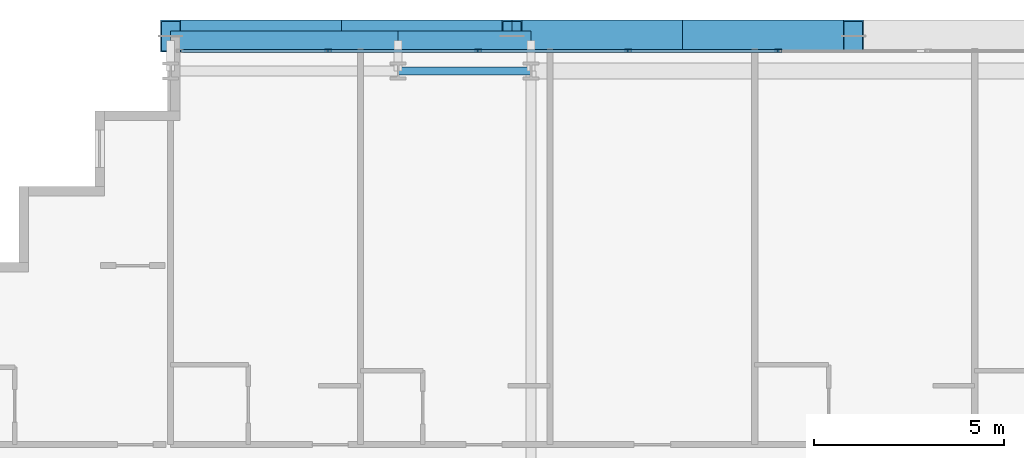
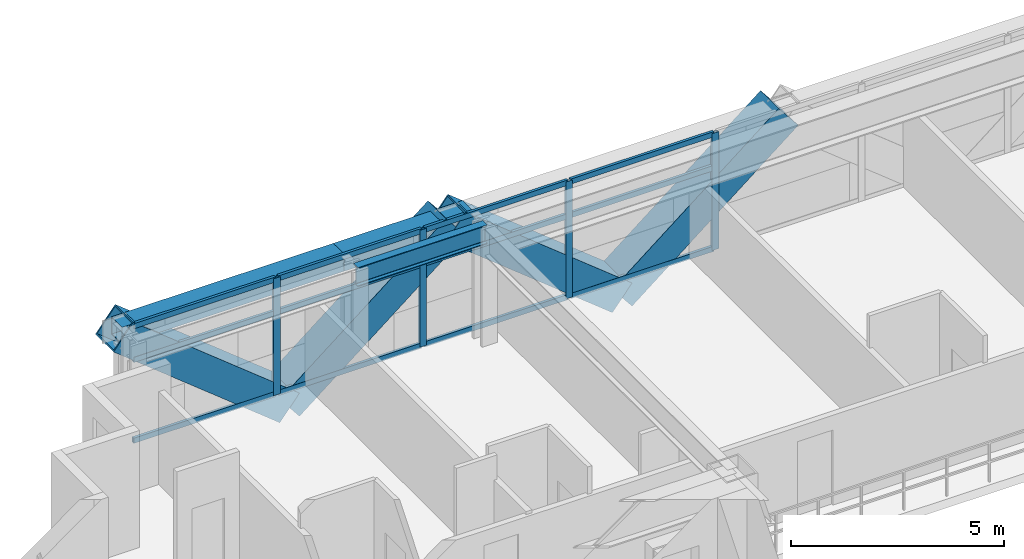
# One storey, part 18 of 38: 20 members, 3 beams, 1 element without a shape of its own.
"""IFC4 building model written with IfcOpenShell, lengths in metres."""

import ifcopenshell
import ifcopenshell.guid

model = None  # the IFC model being written
_history = None  # IfcOwnerHistory: only IFC2X3 demands one
_inside = {}  # id of a spatial element -> (the spatial element, [elements in it])
_under = {}  # id of a project, library or spatial element -> (it, [spatial elements below it])
_declared = {}  # id of a project -> (the project, [libraries it declares])
_typed = {}  # id of a type object -> (the type object, [elements of that type])
_made_of = {}  # id of a material, layer set ... -> (it, [elements and type objects made of it])


def new_model(schema):
    """Start an empty IFC model of exactly this schema.

    Asked for "IFC4X3", IfcOpenShell would pick the latest addendum, in which some entities
    have other attributes; the version numbers below select the first issue.
    IFC2X3 requires an IfcOwnerHistory on every rooted entity: one is made here for all.
    """
    global model, _history
    if schema == "IFC4X3":
        model = ifcopenshell.file(schema_version=(4, 3, 0, 0))
    else:
        model = ifcopenshell.file(schema=schema)
    _inside.clear()
    _under.clear()
    _declared.clear()
    _typed.clear()
    _made_of.clear()
    _history = None
    if model.schema == "IFC2X3":
        org = make("IfcOrganization", Name="unknown")
        user = make(
            "IfcPersonAndOrganization",
            ThePerson=make("IfcPerson", FamilyName="unknown"),
            TheOrganization=org,
        )
        app = make(
            "IfcApplication",
            ApplicationDeveloper=org,
            Version="unknown",
            ApplicationFullName="unknown",
            ApplicationIdentifier="unknown",
        )
        _history = make(
            "IfcOwnerHistory",
            OwningUser=user,
            OwningApplication=app,
            ChangeAction="ADDED",
            CreationDate=0,
        )
    return model


def make(cls, **values):
    """One entity of the class cls with the attributes given. An attribute that is None is left unset."""
    return model.create_entity(
        cls, **{name: value for name, value in values.items() if value is not None}
    )


def rooted(cls, **values):
    """An entity with a GlobalId (a new one), such as an element, a storey or a relation."""
    return make(cls, GlobalId=ifcopenshell.guid.new(), OwnerHistory=_history, **values)


def si_unit(unit_type, name, prefix=None):
    """IfcSIUnit, for example si_unit("LENGTHUNIT", "METRE", prefix="MILLI")."""
    return make("IfcSIUnit", UnitType=unit_type, Prefix=prefix, Name=name)


def assignment(units):
    """IfcUnitAssignment: the units of a project."""
    return None if units is None else make("IfcUnitAssignment", Units=units)


def point(xyz):
    """IfcCartesianPoint."""
    return None if xyz is None else make("IfcCartesianPoint", Coordinates=xyz)


def direction(xyz):
    """IfcDirection."""
    return None if xyz is None else make("IfcDirection", DirectionRatios=xyz)


def frame(location, z_axis=None, x_axis=None):
    """IfcAxis2Placement3D, a coordinate frame: its origin and axes. An axis left out is left unset."""
    return make(
        "IfcAxis2Placement3D",
        Location=point(location),
        Axis=direction(z_axis),
        RefDirection=direction(x_axis),
    )


def frame_2d(location, x_axis=None):
    """IfcAxis2Placement2D, a coordinate frame in the plane: its origin and x axis."""
    return make(
        "IfcAxis2Placement2D", Location=point(location), RefDirection=direction(x_axis)
    )


def origin():
    """The frame at (0, 0, 0) with its axes left unset."""
    return frame((0.0, 0.0, 0.0))


def origin_2d():
    """The frame at (0, 0) in the plane with its x axis left unset."""
    return frame_2d((0.0, 0.0))


def place(relative_to, where):
    """IfcLocalPlacement: puts the frame where relative to a parent placement (None: the world)."""
    return make(
        "IfcLocalPlacement", PlacementRelTo=relative_to, RelativePlacement=where
    )


def context(
    kind, dimensions, precision=None, world=None, true_north=None, identifier=None
):
    """IfcGeometricRepresentationContext, for example the 3D "Model" context."""
    return make(
        "IfcGeometricRepresentationContext",
        ContextIdentifier=identifier,
        ContextType=kind,
        CoordinateSpaceDimension=dimensions,
        Precision=precision,
        WorldCoordinateSystem=world,
        TrueNorth=true_north,
    )


def subcontext(parent, identifier, kind, view, scale=None):
    """IfcGeometricRepresentationSubContext, for example "Body" below "Model"."""
    return make(
        "IfcGeometricRepresentationSubContext",
        ContextIdentifier=identifier,
        ContextType=kind,
        ParentContext=parent,
        TargetScale=scale,
        TargetView=view,
    )


def project(units=None, contexts=None):
    """IfcProject with its units and contexts."""
    return rooted(
        "IfcProject",
        Name="project",
        RepresentationContexts=contexts,
        UnitsInContext=assignment(units),
    )


def spatial(cls, under=None, at=None, **own):
    """A site, building, storey or space (cls), placed at a placement, below another one or the project."""
    s = rooted(cls, ObjectPlacement=at, **own)
    if under is not None:
        _under.setdefault(under.id(), (under, []))[1].append(s)
    return s


def profile(cls, at=None, kind="AREA", **sizes):
    """A parametric profile (cls). Its sizes go by their IFC names, for example OverallWidth=200.0."""
    return make(cls, ProfileType=kind, Position=at, **sizes)


def hollow_rectangle(**sizes):
    """IfcRectangleHollowProfileDef."""
    return profile("IfcRectangleHollowProfileDef", **sizes)


def i_section(**sizes):
    """IfcIShapeProfileDef."""
    return profile("IfcIShapeProfileDef", **sizes)


def extrude(swept, where, along, depth):
    """IfcExtrudedAreaSolid: the profile swept, set in the frame where, extruded along a direction by depth."""
    return make(
        "IfcExtrudedAreaSolid",
        SweptArea=swept,
        Position=where,
        ExtrudedDirection=direction(along),
        Depth=depth,
    )


def shape(context_of_items, identifier, shape_type, items):
    """IfcShapeRepresentation: the items that make up one representation, for example the "Body"."""
    return make(
        "IfcShapeRepresentation",
        ContextOfItems=context_of_items,
        RepresentationIdentifier=identifier,
        RepresentationType=shape_type,
        Items=items,
    )


def source(mapping_origin, context_of_items, identifier, shape_type, items):
    """IfcRepresentationMap: a shape defined once, which mapped items show again and again."""
    return make(
        "IfcRepresentationMap",
        MappingOrigin=mapping_origin,
        MappedRepresentation=shape(context_of_items, identifier, shape_type, items),
    )


def transform(
    local_origin,
    x_axis=None,
    y_axis=None,
    z_axis=None,
    scale=None,
    scale2=None,
    scale3=None,
    uniform=True,
):
    """IfcCartesianTransformationOperator3D, or its non-uniform kind. x_axis, y_axis, z_axis: its Axis1, 2, 3."""
    if uniform:
        return make(
            "IfcCartesianTransformationOperator3D",
            Axis1=direction(x_axis),
            Axis2=direction(y_axis),
            LocalOrigin=point(local_origin),
            Scale=scale,
            Axis3=direction(z_axis),
        )
    return make(
        "IfcCartesianTransformationOperator3DnonUniform",
        Axis1=direction(x_axis),
        Axis2=direction(y_axis),
        LocalOrigin=point(local_origin),
        Scale=scale,
        Axis3=direction(z_axis),
        Scale2=scale2,
        Scale3=scale3,
    )


def mapped(mapping_source, mapping_target):
    """IfcMappedItem: shows the shape of a source again, moved by a transform."""
    return make(
        "IfcMappedItem", MappingSource=mapping_source, MappingTarget=mapping_target
    )


def material(Name=None, Category=None):
    """IfcMaterial."""
    return make("IfcMaterial", Name=Name, Category=Category)


def layer(
    of_material, thickness, ventilated=None, Name=None, Category=None, Priority=None
):
    """IfcMaterialLayer: one layer of a wall or slab, of a material (None: an air gap)."""
    return make(
        "IfcMaterialLayer",
        Material=of_material,
        LayerThickness=thickness,
        IsVentilated=ventilated,
        Name=Name,
        Category=Category,
        Priority=Priority,
    )


def layer_set(layers, Name=None):
    """IfcMaterialLayerSet."""
    return make("IfcMaterialLayerSet", MaterialLayers=layers, LayerSetName=Name)


def material_profile(
    of_material, cross_section, Name=None, Category=None, Priority=None
):
    """IfcMaterialProfile: a cross section and its material."""
    return make(
        "IfcMaterialProfile",
        Name=Name,
        Material=of_material,
        Profile=cross_section,
        Priority=Priority,
        Category=Category,
    )


def profile_set(profiles, Name=None, composite=None):
    """IfcMaterialProfileSet."""
    return make(
        "IfcMaterialProfileSet",
        Name=Name,
        MaterialProfiles=profiles,
        CompositeProfile=composite,
    )


def made_of(thing, what):
    """Note that an element or type object is made of a material, layer set ...; save() writes the relation."""
    if what is not None:
        _made_of.setdefault(what.id(), (what, []))[1].append(thing)
    return thing


def type_object(cls, material=None, **own):
    """A type object (cls), such as IfcWallType, which elements share."""
    return made_of(rooted(cls, **own), material)


def element(
    cls,
    number,
    at=None,
    inside=None,
    cuts=None,
    type_object=None,
    material=None,
    context=None,
    identifier="Body",
    shape_type=None,
    held_by="IfcProductDefinitionShape",
    body=None,
    shapes=None,
    **own,
):
    """One element of the class cls, such as IfcWall. Its Tag is "e" and its number.

    at: its placement. inside: the storey or other place that contains it. cuts: it is an
    opening in that element (IfcRelVoidsElement). A single representation is given by context,
    identifier, shape_type and body (its items); several are given by shapes. held_by: the class
    of the entity that holds the representations. save() writes the other relations.
    """
    e = rooted(cls, Tag="e%d" % number, ObjectPlacement=at, **own)
    if body is not None:
        shapes = [shape(context, identifier, shape_type, body)]
    if shapes is not None:
        e.Representation = make(held_by, Representations=shapes)
    if inside is not None:
        _inside.setdefault(inside.id(), (inside, []))[1].append(e)
    if cuts is not None:
        rooted(
            "IfcRelVoidsElement", RelatingBuildingElement=cuts, RelatedOpeningElement=e
        )
    if type_object is not None:
        _typed.setdefault(type_object.id(), (type_object, []))[1].append(e)
    return made_of(e, material)


def aggregate(whole, parts):
    """IfcRelAggregates: a whole, such as a stair, and the parts it consists of."""
    return rooted("IfcRelAggregates", RelatingObject=whole, RelatedObjects=parts)


def save(model, path):
    """Write the relations noted so far, then the file.

    IfcRelAggregates (storeys below a building ...), IfcRelContainedInSpatialStructure (elements
    in a storey), IfcRelDefinesByType, IfcRelAssociatesMaterial and IfcRelDeclares: one each for
    every whole, place, type object, material and project.
    """
    for whole, parts in _under.values():
        aggregate(whole, parts)
    for where, things in _inside.values():
        rooted(
            "IfcRelContainedInSpatialStructure",
            RelatedElements=things,
            RelatingStructure=where,
        )
    for kind, things in _typed.values():
        rooted("IfcRelDefinesByType", RelatedObjects=things, RelatingType=kind)
    for what, things in _made_of.values():
        rooted("IfcRelAssociatesMaterial", RelatedObjects=things, RelatingMaterial=what)
    for by, libraries in _declared.values():
        rooted("IfcRelDeclares", RelatingContext=by, RelatedDefinitions=libraries)
    model.write(path)


model = new_model("IFC4")

# Units and contexts
model_context = context("Model", 3, precision=1e-05, world=origin(), true_north=direction((0.0, 1.0)))
body_context = subcontext(model_context, "Body", "Model", "MODEL_VIEW")
ifc_project = project(units=[si_unit("LENGTHUNIT", "METRE"), si_unit("AREAUNIT", "SQUARE_METRE"), si_unit("VOLUMEUNIT", "CUBIC_METRE"), si_unit("PLANEANGLEUNIT", "RADIAN"), si_unit("MASSUNIT", "GRAM", prefix="KILO")], contexts=[model_context])

# Site, building, storey
site_placement = place(None, origin())
site = spatial("IfcSite", under=ifc_project, at=site_placement, CompositionType="ELEMENT")
building_placement = place(site_placement, origin())
building = spatial("IfcBuilding", under=site, at=building_placement, Name="Ocotamira Hotel", CompositionType="ELEMENT")
storey_placement = place(building_placement, frame((0.0, 0.0, 74.39990234375)))
storey = spatial("IfcBuildingStorey", under=building, at=storey_placement, Name="L18", CompositionType="ELEMENT", Elevation=74.39990234375)

# Beams
ifc_material_1 = material(Name="Steel ASTM A992 Grade 50", Category="steel")
ifc_material_profile_1 = material_profile(ifc_material_1, i_section(OverallWidth=0.2099609375, OverallDepth=0.537109375, WebThickness=0.010986328125, FlangeThickness=0.017333984375, FilletRadius=0.012939453125, at=origin_2d()), Name="W21X68")
ifc_profile_set_1 = profile_set([ifc_material_profile_1], Name="Steel ASTM A992 Grade 50")
beam_type_1 = type_object("IfcBeamType", Name="BM-SEC-W21X68", PredefinedType="JOIST", material=ifc_profile_set_1)
shared_shape_1 = source(origin(), body_context, "Body", "SweptSolid", [
    extrude(i_section(OverallWidth=0.2099609375, OverallDepth=0.537109375, WebThickness=0.010986328125, FlangeThickness=0.017333984375, FilletRadius=0.012939453125, at=origin_2d()), origin(), (0.0, 0.0, 1.0), 3.5),
])
beam_1_placement = place(storey_placement, frame((20.0, 49.050048828125, 3.08154296875), z_axis=(1.0, 0.0, 0.0), x_axis=(0.0, 1.0, 0.0)))
element("IfcBeam", 1, at=beam_1_placement, inside=storey, type_object=beam_type_1, Name="L18 Girder Y49.05 X20-23.5", PredefinedType="JOIST", context=body_context, shape_type="MappedRepresentation", body=[
    mapped(shared_shape_1, transform((0.0, 0.0, 0.0), scale=1.0)),
])
ifc_material_2 = material(Name="Steel ASTM A500 Grade C", Category="steel")
ifc_material_profile_2 = material_profile(ifc_material_2, hollow_rectangle(XDim=0.5, YDim=0.5, WallThickness=0.02001953125, at=origin_2d()), Name="HSS500X500X20")
ifc_profile_set_2 = profile_set([ifc_material_profile_2], Name="Steel ASTM A500 Grade C")
beam_type_2 = type_object("IfcBeamType", Name="BM-SPAN-HSS500", PredefinedType="USERDEFINED", material=ifc_profile_set_2)
shared_shape_2 = source(origin(), body_context, "Body", "SweptSolid", [
    extrude(hollow_rectangle(XDim=0.5, YDim=0.5, WallThickness=0.02001953125, at=origin_2d()), origin(), (0.0, 0.0, 1.0), 6.0),
])
beam_2_placement = place(storey_placement, frame((14.0, 49.85009765625, 3.10009765625), z_axis=(1.0, 0.0, 0.0), x_axis=(0.0, 1.0, 0.0)))
element("IfcBeam", 2, at=beam_2_placement, inside=storey, type_object=beam_type_2, Name="L18 Edge Spandrel N X14-20", ObjectType="SPANDREL", PredefinedType="USERDEFINED", context=body_context, shape_type="MappedRepresentation", body=[
    mapped(shared_shape_2, transform((0.0, 0.0, 0.0), scale=1.0)),
])
shared_shape_3 = source(origin(), body_context, "Body", "SweptSolid", [
    extrude(hollow_rectangle(XDim=0.5, YDim=0.5, WallThickness=0.02001953125, at=origin_2d()), origin(), (0.0, 0.0, 1.0), 3.5),
])
beam_3_placement = place(storey_placement, frame((20.0, 49.85009765625, 3.10009765625), z_axis=(1.0, 0.0, 0.0), x_axis=(0.0, 1.0, 0.0)))
element("IfcBeam", 3, at=beam_3_placement, inside=storey, type_object=beam_type_2, Name="L18 Edge Spandrel N X20-23.5", ObjectType="SPANDREL", PredefinedType="USERDEFINED", context=body_context, shape_type="MappedRepresentation", body=[
    mapped(shared_shape_3, transform((0.0, 0.0, 0.0), scale=1.0)),
])

# Members
ifc_material_3 = material(Name="Pale-metal coated steel ASTM A913 Grade 65", Category="steel")
ifc_material_profile_3 = material_profile(ifc_material_3, hollow_rectangle(XDim=0.85009765625, YDim=0.85009765625, WallThickness=0.035888671875, at=origin_2d()), Name="BOX850X850X36")
ifc_profile_set_3 = profile_set([ifc_material_profile_3], Name="Pale-metal coated steel ASTM A913 Grade 65")
member_type_1 = type_object("IfcMemberType", Name="MEM-EXO-BOX850", PredefinedType="BRACE", material=ifc_profile_set_3)
shared_shape_4 = source(origin(), body_context, "Body", "SweptSolid", [
    extrude(hollow_rectangle(XDim=0.85009765625, YDim=0.85009765625, WallThickness=0.035888671875, at=origin_2d()), origin(), (0.0, 0.0, 1.0), 5.762939453125),
])
for number, where, z_axis, x_axis, name in (
    (4, (18.5, 49.969970703125, -0.5), (-0.780860543151, 0.0, 0.624705380279), (0.0, -1.0, 0.0), "L18 Exoskeleton Diagrid N0.1"),
    (5, (18.5, 49.969970703125, -0.5), (0.780860543151, 0.0, 0.624705380279), (0.0, 1.0, 0.0), "L18 Exoskeleton Diagrid N0.2"),
    (6, (27.5, 49.969970703125, -0.5), (-0.780860543151, 0.0, 0.624705380279), (0.0, -1.0, 0.0), "L18 Exoskeleton Diagrid N1.1"),
    (7, (27.5, 49.969970703125, -0.5), (0.780860543151, 0.0, 0.624705380279), (0.0, 1.0, 0.0), "L18 Exoskeleton Diagrid N1.2"),
):
    element("IfcMember", number, at=place(storey_placement, frame(where, z_axis=z_axis, x_axis=x_axis)), inside=storey, type_object=member_type_1, Name=name, PredefinedType="BRACE", context=body_context, shape_type="MappedRepresentation", body=[
        mapped(shared_shape_4, transform((0.0, 0.0, 0.0), scale=1.0)),
    ])

# Curtain wall, members
ifc_material_4 = material(Name="Anodised pale-metal aluminium and solar glass", Category="aluminium")
ifc_layer = layer(ifc_material_4, 0.179931640625)
ifc_layer_set = layer_set([ifc_layer], Name="Anodised pale-metal aluminium and solar glass")
curtain_wall_type = type_object("IfcCurtainWallType", Name="CW-SYS2-Z1", PredefinedType="NOTDEFINED", material=ifc_layer_set)
curtain_wall_placement = place(storey_placement, origin())
curtain_wall = element("IfcCurtainWall", 8, at=curtain_wall_placement, inside=storey, type_object=curtain_wall_type, Name="L18 Curtain Wall CW-2 CW-L18-N", PredefinedType="NOTDEFINED")
ifc_material_5 = material(Name="Anodised pale-metal aluminium 6063-T6", Category="aluminium")
ifc_material_profile_4 = material_profile(ifc_material_5, hollow_rectangle(XDim=0.074951171875, YDim=0.14990234375, WallThickness=0.006103515625, at=origin_2d()), Name="HSS150X75X6")
ifc_profile_set_4 = profile_set([ifc_material_profile_4], Name="Anodised pale-metal aluminium 6063-T6")
member_type_2 = type_object("IfcMemberType", Name="CWT-150X75", PredefinedType="USERDEFINED", material=ifc_profile_set_4)
shared_shape_5 = source(origin(), body_context, "Body", "SweptSolid", [
    extrude(hollow_rectangle(XDim=0.074951171875, YDim=0.14990234375, WallThickness=0.006103515625, at=origin_2d()), origin(), (0.0, 0.0, 1.0), 3.83544921875),
])
member_1_placement = place(storey_placement, frame((14.280029296875, 49.580078125, 0.03759765625), z_axis=(1.0, 0.0, 0.0), x_axis=(0.0, 1.0, 0.0)))
member_1 = element("IfcMember", 9, at=member_1_placement, type_object=member_type_2, Name="CW-2 transom 1.1", ObjectType="TRANSOM", PredefinedType="USERDEFINED", context=body_context, shape_type="MappedRepresentation", body=[
    mapped(shared_shape_5, transform((0.0, 0.0, 0.0), scale=1.0)),
])
member_2_placement = place(storey_placement, frame((14.280029296875, 49.580078125, 2.35009765625), z_axis=(1.0, 0.0, 0.0), x_axis=(0.0, 1.0, 0.0)))
member_2 = element("IfcMember", 10, at=member_2_placement, type_object=member_type_2, Name="CW-2 transom 1.2", ObjectType="TRANSOM", PredefinedType="USERDEFINED", context=body_context, shape_type="MappedRepresentation", body=[
    mapped(shared_shape_5, transform((0.0, 0.0, 0.0), scale=1.0)),
])
member_3_placement = place(storey_placement, frame((14.280029296875, 49.580078125, 3.3125), z_axis=(1.0, 0.0, 0.0), x_axis=(0.0, 1.0, 0.0)))
member_3 = element("IfcMember", 11, at=member_3_placement, type_object=member_type_2, Name="CW-2 transom 1.3", ObjectType="TRANSOM", PredefinedType="USERDEFINED", context=body_context, shape_type="MappedRepresentation", body=[
    mapped(shared_shape_5, transform((0.0, 0.0, 0.0), scale=1.0)),
])
shared_shape_6 = source(origin(), body_context, "Body", "SweptSolid", [
    extrude(hollow_rectangle(XDim=0.074951171875, YDim=0.14990234375, WallThickness=0.006103515625, at=origin_2d()), origin(), (0.0, 0.0, 1.0), 3.87548828125),
])
member_4_placement = place(storey_placement, frame((18.195556640625, 49.580078125, 0.03759765625), z_axis=(1.0, 0.0, 0.0), x_axis=(0.0, 1.0, 0.0)))
member_4 = element("IfcMember", 12, at=member_4_placement, type_object=member_type_2, Name="CW-2 transom 2.1", ObjectType="TRANSOM", PredefinedType="USERDEFINED", context=body_context, shape_type="MappedRepresentation", body=[
    mapped(shared_shape_6, transform((0.0, 0.0, 0.0), scale=1.0)),
])
member_5_placement = place(storey_placement, frame((18.195556640625, 49.580078125, 2.35009765625), z_axis=(1.0, 0.0, 0.0), x_axis=(0.0, 1.0, 0.0)))
member_5 = element("IfcMember", 13, at=member_5_placement, type_object=member_type_2, Name="CW-2 transom 2.2", ObjectType="TRANSOM", PredefinedType="USERDEFINED", context=body_context, shape_type="MappedRepresentation", body=[
    mapped(shared_shape_6, transform((0.0, 0.0, 0.0), scale=1.0)),
])
member_6_placement = place(storey_placement, frame((18.195556640625, 49.580078125, 3.3125), z_axis=(1.0, 0.0, 0.0), x_axis=(0.0, 1.0, 0.0)))
member_6 = element("IfcMember", 14, at=member_6_placement, type_object=member_type_2, Name="CW-2 transom 2.3", ObjectType="TRANSOM", PredefinedType="USERDEFINED", context=body_context, shape_type="MappedRepresentation", body=[
    mapped(shared_shape_6, transform((0.0, 0.0, 0.0), scale=1.0)),
])
member_7_placement = place(storey_placement, frame((22.151123046875, 49.580078125, 0.03759765625), z_axis=(1.0, 0.0, 0.0), x_axis=(0.0, 1.0, 0.0)))
member_7 = element("IfcMember", 15, at=member_7_placement, type_object=member_type_2, Name="CW-2 transom 3.1", ObjectType="TRANSOM", PredefinedType="USERDEFINED", context=body_context, shape_type="MappedRepresentation", body=[
    mapped(shared_shape_6, transform((0.0, 0.0, 0.0), scale=1.0)),
])
member_8_placement = place(storey_placement, frame((22.151123046875, 49.580078125, 2.35009765625), z_axis=(1.0, 0.0, 0.0), x_axis=(0.0, 1.0, 0.0)))
member_8 = element("IfcMember", 16, at=member_8_placement, type_object=member_type_2, Name="CW-2 transom 3.2", ObjectType="TRANSOM", PredefinedType="USERDEFINED", context=body_context, shape_type="MappedRepresentation", body=[
    mapped(shared_shape_6, transform((0.0, 0.0, 0.0), scale=1.0)),
])
member_9_placement = place(storey_placement, frame((22.151123046875, 49.580078125, 3.3125), z_axis=(1.0, 0.0, 0.0), x_axis=(0.0, 1.0, 0.0)))
member_9 = element("IfcMember", 17, at=member_9_placement, type_object=member_type_2, Name="CW-2 transom 3.3", ObjectType="TRANSOM", PredefinedType="USERDEFINED", context=body_context, shape_type="MappedRepresentation", body=[
    mapped(shared_shape_6, transform((0.0, 0.0, 0.0), scale=1.0)),
])
member_10_placement = place(storey_placement, frame((26.106689453125, 49.580078125, 0.03759765625), z_axis=(1.0, 0.0, 0.0), x_axis=(0.0, 1.0, 0.0)))
member_10 = element("IfcMember", 18, at=member_10_placement, type_object=member_type_2, Name="CW-2 transom 4.1", ObjectType="TRANSOM", PredefinedType="USERDEFINED", context=body_context, shape_type="MappedRepresentation", body=[
    mapped(shared_shape_6, transform((0.0, 0.0, 0.0), scale=1.0)),
])
member_11_placement = place(storey_placement, frame((26.106689453125, 49.580078125, 2.35009765625), z_axis=(1.0, 0.0, 0.0), x_axis=(0.0, 1.0, 0.0)))
member_11 = element("IfcMember", 19, at=member_11_placement, type_object=member_type_2, Name="CW-2 transom 4.2", ObjectType="TRANSOM", PredefinedType="USERDEFINED", context=body_context, shape_type="MappedRepresentation", body=[
    mapped(shared_shape_6, transform((0.0, 0.0, 0.0), scale=1.0)),
])
member_12_placement = place(storey_placement, frame((26.106689453125, 49.580078125, 3.3125), z_axis=(1.0, 0.0, 0.0), x_axis=(0.0, 1.0, 0.0)))
member_12 = element("IfcMember", 20, at=member_12_placement, type_object=member_type_2, Name="CW-2 transom 4.3", ObjectType="TRANSOM", PredefinedType="USERDEFINED", context=body_context, shape_type="MappedRepresentation", body=[
    mapped(shared_shape_6, transform((0.0, 0.0, 0.0), scale=1.0)),
])
ifc_material_profile_5 = material_profile(ifc_material_5, hollow_rectangle(XDim=0.080078125, YDim=0.179931640625, WallThickness=0.006103515625, at=origin_2d()), Name="HSS180X80X6")
ifc_profile_set_5 = profile_set([ifc_material_profile_5], Name="Anodised pale-metal aluminium 6063-T6")
member_type_3 = type_object("IfcMemberType", Name="CWM-180X75", PredefinedType="MULLION", material=ifc_profile_set_5)
shared_shape_7 = source(origin(), body_context, "Body", "SweptSolid", [
    extrude(hollow_rectangle(XDim=0.080078125, YDim=0.179931640625, WallThickness=0.006103515625, at=origin_2d()), origin(), (0.0, 0.0, 1.0), 3.35009765625),
])
member_13_placement = place(storey_placement, frame((18.155517578125, 49.580078125, 0.0), z_axis=(0.0, 0.0, 1.0), x_axis=(0.0, 1.0, 0.0)))
member_13 = element("IfcMember", 21, at=member_13_placement, type_object=member_type_3, Name="CW-2 mullion 2", PredefinedType="MULLION", context=body_context, shape_type="MappedRepresentation", body=[
    mapped(shared_shape_7, transform((0.0, 0.0, 0.0), scale=1.0)),
])
member_14_placement = place(storey_placement, frame((22.111083984375, 49.580078125, 0.0), z_axis=(0.0, 0.0, 1.0), x_axis=(0.0, 1.0, 0.0)))
member_14 = element("IfcMember", 22, at=member_14_placement, type_object=member_type_3, Name="CW-2 mullion 3", PredefinedType="MULLION", context=body_context, shape_type="MappedRepresentation", body=[
    mapped(shared_shape_7, transform((0.0, 0.0, 0.0), scale=1.0)),
])
member_15_placement = place(storey_placement, frame((26.066650390625, 49.580078125, 0.0), z_axis=(0.0, 0.0, 1.0), x_axis=(0.0, 1.0, 0.0)))
member_15 = element("IfcMember", 23, at=member_15_placement, type_object=member_type_3, Name="CW-2 mullion 4", PredefinedType="MULLION", context=body_context, shape_type="MappedRepresentation", body=[
    mapped(shared_shape_7, transform((0.0, 0.0, 0.0), scale=1.0)),
])
member_16_placement = place(storey_placement, frame((30.022216796875, 49.580078125, 0.0), z_axis=(0.0, 0.0, 1.0), x_axis=(0.0, 1.0, 0.0)))
member_16 = element("IfcMember", 24, at=member_16_placement, type_object=member_type_3, Name="CW-2 mullion 5", PredefinedType="MULLION", context=body_context, shape_type="MappedRepresentation", body=[
    mapped(shared_shape_7, transform((0.0, 0.0, 0.0), scale=1.0)),
])
aggregate(curtain_wall, [member_13, member_14, member_15, member_16, member_1, member_2, member_3, member_4, member_5, member_6, member_7, member_8, member_9, member_10, member_11, member_12])

save(model, "model.ifc")
